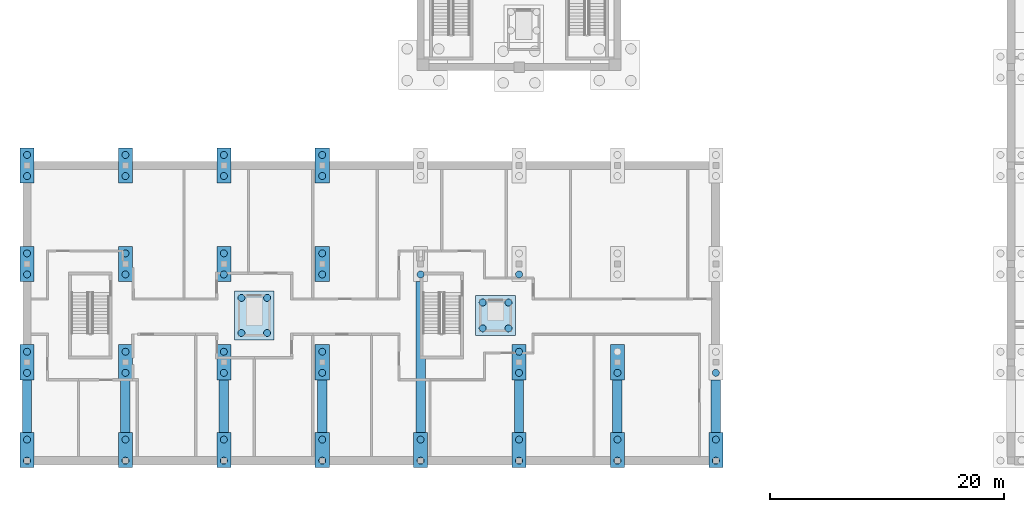
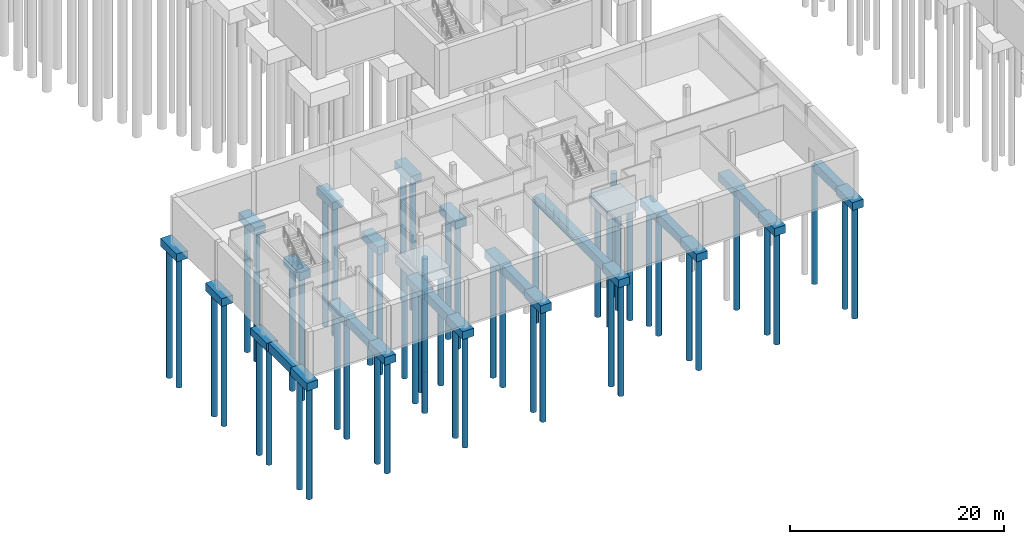
# One storey, part 1 of 33: 54 piles, 32 footings.
"""IFC4 building model written with IfcOpenShell, lengths in metres."""

from ifc_helpers import new_model, si_unit, direction, frame, origin, origin_2d, place, context, subcontext, project, spatial, polyline, circle, outline, extrude, material, material_profile, profile_set, type_object, element, save


model = new_model("IFC4")

# Units and contexts
model_context = context("Model", 3, precision=1e-05, world=origin(), true_north=direction((0.0, 1.0)))
body_context = subcontext(model_context, "Body", "Model", "MODEL_VIEW")
ifc_project = project(units=[si_unit("LENGTHUNIT", "METRE"), si_unit("AREAUNIT", "SQUARE_METRE"), si_unit("VOLUMEUNIT", "CUBIC_METRE"), si_unit("PLANEANGLEUNIT", "RADIAN"), si_unit("MASSUNIT", "GRAM", prefix="KILO")], contexts=[model_context])

# Site, building, storey
site_placement = place(None, origin())
site = spatial("IfcSite", under=ifc_project, at=site_placement, CompositionType="ELEMENT")
building_placement = place(site_placement, origin())
building = spatial("IfcBuilding", under=site, at=building_placement, Name="Larchfold Concert Hall", CompositionType="ELEMENT")
storey_placement = place(building_placement, frame((0.0, 0.0, -5.0)))
storey = spatial("IfcBuildingStorey", under=building, at=storey_placement, Name="B1", CompositionType="ELEMENT", Elevation=-5.0)

# Piles
ifc_material_1 = material(Name="Concrete C30/37", Category="concrete")
ifc_material_profile = material_profile(ifc_material_1, circle(Radius=0.300048828125, at=origin_2d()))
ifc_profile_set = profile_set([ifc_material_profile], Name="Concrete C30/37")
pile_type = type_object("IfcPileType", Name="Bored pile D600", PredefinedType="BORED", material=ifc_profile_set)
for number, where, z_axis, x_axis, name in (
    (1, (0.60009765625, 0.60009765625, -1.300048828125), (0.0, 0.0, -1.0), (1.0, 0.0, 0.0), "Pile P0001"),
    (2, (0.60009765625, 2.39990234375, -1.300048828125), (0.0, 0.0, -1.0), (1.0, 0.0, 0.0), "Pile P0002"),
):
    element("IfcPile", number, at=place(storey_placement, frame(where, z_axis=z_axis, x_axis=x_axis)), inside=storey, type_object=pile_type, Name=name, PredefinedType="BORED", context=body_context, shape_type="SweptSolid", body=[
        extrude(circle(Radius=0.300048828125, at=origin_2d()), origin(), (0.0, 0.0, 1.0), 12.82421875),
    ])
for number, where, z_axis, x_axis, name in (
    (3, (0.60009765625, 8.10009765625, -1.300048828125), (0.0, 0.0, -1.0), (1.0, 0.0, 0.0), "Pile P0003"),
    (4, (0.60009765625, 9.89990234375, -1.300048828125), (0.0, 0.0, -1.0), (1.0, 0.0, 0.0), "Pile P0004"),
):
    element("IfcPile", number, at=place(storey_placement, frame(where, z_axis=z_axis, x_axis=x_axis)), inside=storey, type_object=pile_type, Name=name, PredefinedType="BORED", context=body_context, shape_type="SweptSolid", body=[
        extrude(circle(Radius=0.300048828125, at=origin_2d()), origin(), (0.0, 0.0, 1.0), 13.444580078125),
    ])
for number, where, z_axis, x_axis, name in (
    (5, (0.60009765625, 16.5, -1.300048828125), (0.0, 0.0, -1.0), (1.0, 0.0, 0.0), "Pile P0005"),
    (6, (0.60009765625, 18.300048828125, -1.300048828125), (0.0, 0.0, -1.0), (1.0, 0.0, 0.0), "Pile P0006"),
):
    element("IfcPile", number, at=place(storey_placement, frame(where, z_axis=z_axis, x_axis=x_axis)), inside=storey, type_object=pile_type, Name=name, PredefinedType="BORED", context=body_context, shape_type="SweptSolid", body=[
        extrude(circle(Radius=0.300048828125, at=origin_2d()), origin(), (0.0, 0.0, 1.0), 14.1396484375),
    ])
for number, where, z_axis, x_axis, name in (
    (7, (0.60009765625, 24.89990234375, -1.300048828125), (0.0, 0.0, -1.0), (1.0, 0.0, 0.0), "Pile P0007"),
    (8, (0.60009765625, 26.699951171875, -1.300048828125), (0.0, 0.0, -1.0), (1.0, 0.0, 0.0), "Pile P0008"),
):
    element("IfcPile", number, at=place(storey_placement, frame(where, z_axis=z_axis, x_axis=x_axis)), inside=storey, type_object=pile_type, Name=name, PredefinedType="BORED", context=body_context, shape_type="SweptSolid", body=[
        extrude(circle(Radius=0.300048828125, at=origin_2d()), origin(), (0.0, 0.0, 1.0), 14.834716796875),
    ])
for number, where, z_axis, x_axis, name in (
    (9, (9.0, 0.60009765625, -1.300048828125), (0.0, 0.0, -1.0), (1.0, 0.0, 0.0), "Pile P0009"),
    (10, (9.0, 2.39990234375, -1.300048828125), (0.0, 0.0, -1.0), (1.0, 0.0, 0.0), "Pile P0010"),
):
    element("IfcPile", number, at=place(storey_placement, frame(where, z_axis=z_axis, x_axis=x_axis)), inside=storey, type_object=pile_type, Name=name, PredefinedType="BORED", context=body_context, shape_type="SweptSolid", body=[
        extrude(circle(Radius=0.300048828125, at=origin_2d()), origin(), (0.0, 0.0, 1.0), 12.82421875),
    ])
for number, where, z_axis, x_axis, name in (
    (11, (9.0, 8.10009765625, -1.300048828125), (0.0, 0.0, -1.0), (1.0, 0.0, 0.0), "Pile P0011"),
    (12, (9.0, 9.89990234375, -1.300048828125), (0.0, 0.0, -1.0), (1.0, 0.0, 0.0), "Pile P0012"),
):
    element("IfcPile", number, at=place(storey_placement, frame(where, z_axis=z_axis, x_axis=x_axis)), inside=storey, type_object=pile_type, Name=name, PredefinedType="BORED", context=body_context, shape_type="SweptSolid", body=[
        extrude(circle(Radius=0.300048828125, at=origin_2d()), origin(), (0.0, 0.0, 1.0), 13.444580078125),
    ])
for number, where, z_axis, x_axis, name in (
    (13, (9.0, 16.5, -1.300048828125), (0.0, 0.0, -1.0), (1.0, 0.0, 0.0), "Pile P0013"),
    (14, (9.0, 18.300048828125, -1.300048828125), (0.0, 0.0, -1.0), (1.0, 0.0, 0.0), "Pile P0014"),
):
    element("IfcPile", number, at=place(storey_placement, frame(where, z_axis=z_axis, x_axis=x_axis)), inside=storey, type_object=pile_type, Name=name, PredefinedType="BORED", context=body_context, shape_type="SweptSolid", body=[
        extrude(circle(Radius=0.300048828125, at=origin_2d()), origin(), (0.0, 0.0, 1.0), 14.1396484375),
    ])
for number, where, z_axis, x_axis, name in (
    (15, (9.0, 24.89990234375, -1.300048828125), (0.0, 0.0, -1.0), (1.0, 0.0, 0.0), "Pile P0015"),
    (16, (9.0, 26.699951171875, -1.300048828125), (0.0, 0.0, -1.0), (1.0, 0.0, 0.0), "Pile P0016"),
):
    element("IfcPile", number, at=place(storey_placement, frame(where, z_axis=z_axis, x_axis=x_axis)), inside=storey, type_object=pile_type, Name=name, PredefinedType="BORED", context=body_context, shape_type="SweptSolid", body=[
        extrude(circle(Radius=0.300048828125, at=origin_2d()), origin(), (0.0, 0.0, 1.0), 14.834716796875),
    ])
for number, where, z_axis, x_axis, name in (
    (17, (17.39990234375, 0.60009765625, -1.300048828125), (0.0, 0.0, -1.0), (1.0, 0.0, 0.0), "Pile P0017"),
    (18, (17.39990234375, 2.39990234375, -1.300048828125), (0.0, 0.0, -1.0), (1.0, 0.0, 0.0), "Pile P0018"),
):
    element("IfcPile", number, at=place(storey_placement, frame(where, z_axis=z_axis, x_axis=x_axis)), inside=storey, type_object=pile_type, Name=name, PredefinedType="BORED", context=body_context, shape_type="SweptSolid", body=[
        extrude(circle(Radius=0.300048828125, at=origin_2d()), origin(), (0.0, 0.0, 1.0), 12.82421875),
    ])
for number, where, z_axis, x_axis, name in (
    (19, (17.39990234375, 8.10009765625, -1.300048828125), (0.0, 0.0, -1.0), (1.0, 0.0, 0.0), "Pile P0019"),
    (20, (17.39990234375, 9.89990234375, -1.300048828125), (0.0, 0.0, -1.0), (1.0, 0.0, 0.0), "Pile P0020"),
):
    element("IfcPile", number, at=place(storey_placement, frame(where, z_axis=z_axis, x_axis=x_axis)), inside=storey, type_object=pile_type, Name=name, PredefinedType="BORED", context=body_context, shape_type="SweptSolid", body=[
        extrude(circle(Radius=0.300048828125, at=origin_2d()), origin(), (0.0, 0.0, 1.0), 13.444580078125),
    ])
for number, where, z_axis, x_axis, name in (
    (21, (17.39990234375, 16.5, -1.300048828125), (0.0, 0.0, -1.0), (1.0, 0.0, 0.0), "Pile P0021"),
    (22, (17.39990234375, 18.300048828125, -1.300048828125), (0.0, 0.0, -1.0), (1.0, 0.0, 0.0), "Pile P0022"),
):
    element("IfcPile", number, at=place(storey_placement, frame(where, z_axis=z_axis, x_axis=x_axis)), inside=storey, type_object=pile_type, Name=name, PredefinedType="BORED", context=body_context, shape_type="SweptSolid", body=[
        extrude(circle(Radius=0.300048828125, at=origin_2d()), origin(), (0.0, 0.0, 1.0), 14.1396484375),
    ])
for number, where, z_axis, x_axis, name in (
    (23, (17.39990234375, 24.89990234375, -1.300048828125), (0.0, 0.0, -1.0), (1.0, 0.0, 0.0), "Pile P0023"),
    (24, (17.39990234375, 26.699951171875, -1.300048828125), (0.0, 0.0, -1.0), (1.0, 0.0, 0.0), "Pile P0024"),
):
    element("IfcPile", number, at=place(storey_placement, frame(where, z_axis=z_axis, x_axis=x_axis)), inside=storey, type_object=pile_type, Name=name, PredefinedType="BORED", context=body_context, shape_type="SweptSolid", body=[
        extrude(circle(Radius=0.300048828125, at=origin_2d()), origin(), (0.0, 0.0, 1.0), 14.834716796875),
    ])
for number, where, z_axis, x_axis, name in (
    (25, (25.800048828125, 0.60009765625, -1.300048828125), (0.0, 0.0, -1.0), (1.0, 0.0, 0.0), "Pile P0061"),
    (26, (25.800048828125, 2.39990234375, -1.300048828125), (0.0, 0.0, -1.0), (1.0, 0.0, 0.0), "Pile P0062"),
):
    element("IfcPile", number, at=place(storey_placement, frame(where, z_axis=z_axis, x_axis=x_axis)), inside=storey, type_object=pile_type, Name=name, PredefinedType="BORED", context=body_context, shape_type="SweptSolid", body=[
        extrude(circle(Radius=0.300048828125, at=origin_2d()), origin(), (0.0, 0.0, 1.0), 12.82421875),
    ])
for number, where, z_axis, x_axis, name in (
    (27, (25.800048828125, 8.10009765625, -1.300048828125), (0.0, 0.0, -1.0), (1.0, 0.0, 0.0), "Pile P0063"),
    (28, (25.800048828125, 9.89990234375, -1.300048828125), (0.0, 0.0, -1.0), (1.0, 0.0, 0.0), "Pile P0064"),
):
    element("IfcPile", number, at=place(storey_placement, frame(where, z_axis=z_axis, x_axis=x_axis)), inside=storey, type_object=pile_type, Name=name, PredefinedType="BORED", context=body_context, shape_type="SweptSolid", body=[
        extrude(circle(Radius=0.300048828125, at=origin_2d()), origin(), (0.0, 0.0, 1.0), 13.444580078125),
    ])
for number, where, z_axis, x_axis, name in (
    (29, (25.800048828125, 16.5, -1.300048828125), (0.0, 0.0, -1.0), (1.0, 0.0, 0.0), "Pile P0065"),
    (30, (25.800048828125, 18.300048828125, -1.300048828125), (0.0, 0.0, -1.0), (1.0, 0.0, 0.0), "Pile P0066"),
):
    element("IfcPile", number, at=place(storey_placement, frame(where, z_axis=z_axis, x_axis=x_axis)), inside=storey, type_object=pile_type, Name=name, PredefinedType="BORED", context=body_context, shape_type="SweptSolid", body=[
        extrude(circle(Radius=0.300048828125, at=origin_2d()), origin(), (0.0, 0.0, 1.0), 14.1396484375),
    ])
for number, where, z_axis, x_axis, name in (
    (31, (25.800048828125, 24.89990234375, -1.300048828125), (0.0, 0.0, -1.0), (1.0, 0.0, 0.0), "Pile P0067"),
    (32, (25.800048828125, 26.699951171875, -1.300048828125), (0.0, 0.0, -1.0), (1.0, 0.0, 0.0), "Pile P0068"),
):
    element("IfcPile", number, at=place(storey_placement, frame(where, z_axis=z_axis, x_axis=x_axis)), inside=storey, type_object=pile_type, Name=name, PredefinedType="BORED", context=body_context, shape_type="SweptSolid", body=[
        extrude(circle(Radius=0.300048828125, at=origin_2d()), origin(), (0.0, 0.0, 1.0), 14.834716796875),
    ])
for number, where, z_axis, x_axis, name in (
    (33, (34.199951171875, 0.60009765625, -1.300048828125), (0.0, 0.0, -1.0), (1.0, 0.0, 0.0), "Pile P0093"),
    (34, (34.199951171875, 2.39990234375, -1.300048828125), (0.0, 0.0, -1.0), (1.0, 0.0, 0.0), "Pile P0094"),
):
    element("IfcPile", number, at=place(storey_placement, frame(where, z_axis=z_axis, x_axis=x_axis)), inside=storey, type_object=pile_type, Name=name, PredefinedType="BORED", context=body_context, shape_type="SweptSolid", body=[
        extrude(circle(Radius=0.300048828125, at=origin_2d()), origin(), (0.0, 0.0, 1.0), 12.82421875),
    ])
pile_1_placement = place(storey_placement, frame((34.199951171875, 16.5, -1.300048828125), z_axis=(0.0, 0.0, -1.0), x_axis=(1.0, 0.0, 0.0)))
element("IfcPile", 35, at=pile_1_placement, inside=storey, type_object=pile_type, Name="Pile P0095", PredefinedType="BORED", context=body_context, shape_type="SweptSolid", body=[
    extrude(circle(Radius=0.300048828125, at=origin_2d()), origin(), (0.0, 0.0, 1.0), 14.1396484375),
])
for number, where, z_axis, x_axis, name in (
    (36, (42.60009765625, 0.60009765625, -1.300048828125), (0.0, 0.0, -1.0), (1.0, 0.0, 0.0), "Pile P0131"),
    (37, (42.60009765625, 2.39990234375, -1.300048828125), (0.0, 0.0, -1.0), (1.0, 0.0, 0.0), "Pile P0132"),
):
    element("IfcPile", number, at=place(storey_placement, frame(where, z_axis=z_axis, x_axis=x_axis)), inside=storey, type_object=pile_type, Name=name, PredefinedType="BORED", context=body_context, shape_type="SweptSolid", body=[
        extrude(circle(Radius=0.300048828125, at=origin_2d()), origin(), (0.0, 0.0, 1.0), 12.82421875),
    ])
for number, where, z_axis, x_axis, name in (
    (38, (42.60009765625, 8.10009765625, -1.300048828125), (0.0, 0.0, -1.0), (1.0, 0.0, 0.0), "Pile P0133"),
    (39, (42.60009765625, 9.89990234375, -1.300048828125), (0.0, 0.0, -1.0), (1.0, 0.0, 0.0), "Pile P0134"),
):
    element("IfcPile", number, at=place(storey_placement, frame(where, z_axis=z_axis, x_axis=x_axis)), inside=storey, type_object=pile_type, Name=name, PredefinedType="BORED", context=body_context, shape_type="SweptSolid", body=[
        extrude(circle(Radius=0.300048828125, at=origin_2d()), origin(), (0.0, 0.0, 1.0), 13.444580078125),
    ])
pile_2_placement = place(storey_placement, frame((42.60009765625, 16.5, -1.300048828125), z_axis=(0.0, 0.0, -1.0), x_axis=(1.0, 0.0, 0.0)))
element("IfcPile", 40, at=pile_2_placement, inside=storey, type_object=pile_type, Name="Pile P0135", PredefinedType="BORED", context=body_context, shape_type="SweptSolid", body=[
    extrude(circle(Radius=0.300048828125, at=origin_2d()), origin(), (0.0, 0.0, 1.0), 14.1396484375),
])
for number, where, z_axis, x_axis, name in (
    (41, (51.0, 0.60009765625, -1.300048828125), (0.0, 0.0, -1.0), (1.0, 0.0, 0.0), "Pile P0199"),
    (42, (51.0, 2.39990234375, -1.300048828125), (0.0, 0.0, -1.0), (1.0, 0.0, 0.0), "Pile P0200"),
):
    element("IfcPile", number, at=place(storey_placement, frame(where, z_axis=z_axis, x_axis=x_axis)), inside=storey, type_object=pile_type, Name=name, PredefinedType="BORED", context=body_context, shape_type="SweptSolid", body=[
        extrude(circle(Radius=0.300048828125, at=origin_2d()), origin(), (0.0, 0.0, 1.0), 12.82421875),
    ])
pile_3_placement = place(storey_placement, frame((51.0, 8.10009765625, -1.300048828125), z_axis=(0.0, 0.0, -1.0), x_axis=(1.0, 0.0, 0.0)))
element("IfcPile", 43, at=pile_3_placement, inside=storey, type_object=pile_type, Name="Pile P0201", PredefinedType="BORED", context=body_context, shape_type="SweptSolid", body=[
    extrude(circle(Radius=0.300048828125, at=origin_2d()), origin(), (0.0, 0.0, 1.0), 13.444580078125),
])
for number, where, z_axis, x_axis, name in (
    (44, (59.39990234375, 0.60009765625, -1.300048828125), (0.0, 0.0, -1.0), (1.0, 0.0, 0.0), "Pile P0227"),
    (45, (59.39990234375, 2.39990234375, -1.300048828125), (0.0, 0.0, -1.0), (1.0, 0.0, 0.0), "Pile P0228"),
):
    element("IfcPile", number, at=place(storey_placement, frame(where, z_axis=z_axis, x_axis=x_axis)), inside=storey, type_object=pile_type, Name=name, PredefinedType="BORED", context=body_context, shape_type="SweptSolid", body=[
        extrude(circle(Radius=0.300048828125, at=origin_2d()), origin(), (0.0, 0.0, 1.0), 12.82421875),
    ])
pile_4_placement = place(storey_placement, frame((59.39990234375, 8.10009765625, -1.300048828125), z_axis=(0.0, 0.0, -1.0), x_axis=(1.0, 0.0, 0.0)))
element("IfcPile", 46, at=pile_4_placement, inside=storey, type_object=pile_type, Name="Pile P0229", PredefinedType="BORED", context=body_context, shape_type="SweptSolid", body=[
    extrude(circle(Radius=0.300048828125, at=origin_2d()), origin(), (0.0, 0.0, 1.0), 13.444580078125),
])
pile_5_placement = place(storey_placement, frame((18.900146484375, 11.5, -2.300048828125), z_axis=(0.0, 0.0, -1.0), x_axis=(1.0, 0.0, 0.0)))
element("IfcPile", 47, at=pile_5_placement, inside=storey, type_object=pile_type, Name="Pile P0391", PredefinedType="BORED", context=body_context, shape_type="SweptSolid", body=[
    extrude(circle(Radius=0.300048828125, at=origin_2d()), origin(), (0.0, 0.0, 1.0), 12.651611328125),
])
pile_6_placement = place(storey_placement, frame((18.900146484375, 14.5, -2.300048828125), z_axis=(0.0, 0.0, -1.0), x_axis=(1.0, 0.0, 0.0)))
element("IfcPile", 48, at=pile_6_placement, inside=storey, type_object=pile_type, Name="Pile P0392", PredefinedType="BORED", context=body_context, shape_type="SweptSolid", body=[
    extrude(circle(Radius=0.300048828125, at=origin_2d()), origin(), (0.0, 0.0, 1.0), 12.899658203125),
])
pile_7_placement = place(storey_placement, frame((21.10009765625, 11.5, -2.300048828125), z_axis=(0.0, 0.0, -1.0), x_axis=(1.0, 0.0, 0.0)))
element("IfcPile", 49, at=pile_7_placement, inside=storey, type_object=pile_type, Name="Pile P0393", PredefinedType="BORED", context=body_context, shape_type="SweptSolid", body=[
    extrude(circle(Radius=0.300048828125, at=origin_2d()), origin(), (0.0, 0.0, 1.0), 12.651611328125),
])
pile_8_placement = place(storey_placement, frame((21.10009765625, 14.5, -2.300048828125), z_axis=(0.0, 0.0, -1.0), x_axis=(1.0, 0.0, 0.0)))
element("IfcPile", 50, at=pile_8_placement, inside=storey, type_object=pile_type, Name="Pile P0394", PredefinedType="BORED", context=body_context, shape_type="SweptSolid", body=[
    extrude(circle(Radius=0.300048828125, at=origin_2d()), origin(), (0.0, 0.0, 1.0), 12.899658203125),
])
pile_9_placement = place(storey_placement, frame((39.5, 11.900146484375, -2.300048828125), z_axis=(0.0, 0.0, -1.0), x_axis=(1.0, 0.0, 0.0)))
element("IfcPile", 51, at=pile_9_placement, inside=storey, type_object=pile_type, Name="Pile P0395", PredefinedType="BORED", context=body_context, shape_type="SweptSolid", body=[
    extrude(circle(Radius=0.300048828125, at=origin_2d()), origin(), (0.0, 0.0, 1.0), 12.6845703125),
])
pile_10_placement = place(storey_placement, frame((39.5, 14.10009765625, -2.300048828125), z_axis=(0.0, 0.0, -1.0), x_axis=(1.0, 0.0, 0.0)))
element("IfcPile", 52, at=pile_10_placement, inside=storey, type_object=pile_type, Name="Pile P0396", PredefinedType="BORED", context=body_context, shape_type="SweptSolid", body=[
    extrude(circle(Radius=0.300048828125, at=origin_2d()), origin(), (0.0, 0.0, 1.0), 12.86669921875),
])
pile_11_placement = place(storey_placement, frame((41.699951171875, 11.900146484375, -2.300048828125), z_axis=(0.0, 0.0, -1.0), x_axis=(1.0, 0.0, 0.0)))
element("IfcPile", 53, at=pile_11_placement, inside=storey, type_object=pile_type, Name="Pile P0397", PredefinedType="BORED", context=body_context, shape_type="SweptSolid", body=[
    extrude(circle(Radius=0.300048828125, at=origin_2d()), origin(), (0.0, 0.0, 1.0), 12.6845703125),
])
pile_12_placement = place(storey_placement, frame((41.699951171875, 14.10009765625, -2.300048828125), z_axis=(0.0, 0.0, -1.0), x_axis=(1.0, 0.0, 0.0)))
element("IfcPile", 54, at=pile_12_placement, inside=storey, type_object=pile_type, Name="Pile P0398", PredefinedType="BORED", context=body_context, shape_type="SweptSolid", body=[
    extrude(circle(Radius=0.300048828125, at=origin_2d()), origin(), (0.0, 0.0, 1.0), 12.86669921875),
])

# Footings
ifc_material_2 = material(Name="Concrete C30/37", Category="concrete")
footing_type_1 = type_object("IfcFootingType", Name="Pad footing 3400x3400x1000", PredefinedType="PAD_FOOTING", material=ifc_material_2)
footing_1_placement = place(storey_placement, frame((0.0, 0.0, -2.39990234375)))
element("IfcFooting", 55, at=footing_1_placement, inside=storey, type_object=footing_type_1, Name="Pit footing PC0121", PredefinedType="PAD_FOOTING", context=body_context, shape_type="SweptSolid", body=[
    extrude(outline(polyline([(42.300048828125, 11.300048828125), (42.300048828125, 14.7001953125), (38.89990234375, 14.7001953125), (38.89990234375, 11.300048828125), (42.300048828125, 11.300048828125)])), origin(), (0.0, 0.0, 1.0), 1.0),
])
ifc_material_3 = material(Name="Concrete C30/37", Category="concrete")
footing_type_2 = type_object("IfcFootingType", Name="Pad footing 3400x4200x1000", PredefinedType="PAD_FOOTING", material=ifc_material_3)
footing_2_placement = place(storey_placement, frame((0.0, 0.0, -2.39990234375)))
element("IfcFooting", 56, at=footing_2_placement, inside=storey, type_object=footing_type_2, Name="Pit footing PC0120", PredefinedType="PAD_FOOTING", context=body_context, shape_type="SweptSolid", body=[
    extrude(outline(polyline([(21.7001953125, 10.89990234375), (21.7001953125, 15.099853515625), (18.300048828125, 15.099853515625), (18.300048828125, 10.89990234375), (21.7001953125, 10.89990234375)])), origin(), (0.0, 0.0, 1.0), 1.0),
])
ifc_material_4 = material(Name="Concrete C30/37", Category="concrete")
footing_type_3 = type_object("IfcFootingType", Name="Pile cap 1200x3000x900", PredefinedType="PILE_CAP", material=ifc_material_4)
footing_3_placement = place(storey_placement, frame((0.0, 0.0, -1.39990234375)))
element("IfcFooting", 57, at=footing_3_placement, inside=storey, type_object=footing_type_3, Name="Pile cap PC0001", PredefinedType="PILE_CAP", context=body_context, shape_type="SweptSolid", body=[
    extrude(outline(polyline([(1.199951171875, 0.0), (1.199951171875, 3.0), (0.0, 3.0), (0.0, 0.0), (1.199951171875, 0.0)])), origin(), (0.0, 0.0, 1.0), 0.89990234375),
])
footing_4_placement = place(storey_placement, frame((0.0, 0.0, -1.39990234375)))
element("IfcFooting", 58, at=footing_4_placement, inside=storey, type_object=footing_type_3, Name="Pile cap PC0002", PredefinedType="PILE_CAP", context=body_context, shape_type="SweptSolid", body=[
    extrude(outline(polyline([(1.199951171875, 7.5), (1.199951171875, 10.5), (0.0, 10.5), (0.0, 7.5), (1.199951171875, 7.5)])), origin(), (0.0, 0.0, 1.0), 0.89990234375),
])
footing_5_placement = place(storey_placement, frame((0.0, 0.0, -1.39990234375)))
element("IfcFooting", 59, at=footing_5_placement, inside=storey, type_object=footing_type_3, Name="Pile cap PC0003", PredefinedType="PILE_CAP", context=body_context, shape_type="SweptSolid", body=[
    extrude(outline(polyline([(1.199951171875, 15.89990234375), (1.199951171875, 18.89990234375), (0.0, 18.89990234375), (0.0, 15.89990234375), (1.199951171875, 15.89990234375)])), origin(), (0.0, 0.0, 1.0), 0.89990234375),
])
footing_6_placement = place(storey_placement, frame((0.0, 0.0, -1.39990234375)))
element("IfcFooting", 60, at=footing_6_placement, inside=storey, type_object=footing_type_3, Name="Pile cap PC0004", PredefinedType="PILE_CAP", context=body_context, shape_type="SweptSolid", body=[
    extrude(outline(polyline([(1.199951171875, 24.300048828125), (1.199951171875, 27.300048828125), (0.0, 27.300048828125), (0.0, 24.300048828125), (1.199951171875, 24.300048828125)])), origin(), (0.0, 0.0, 1.0), 0.89990234375),
])
footing_7_placement = place(storey_placement, frame((0.0, 0.0, -1.39990234375)))
element("IfcFooting", 61, at=footing_7_placement, inside=storey, type_object=footing_type_3, Name="Pile cap PC0005", PredefinedType="PILE_CAP", context=body_context, shape_type="SweptSolid", body=[
    extrude(outline(polyline([(9.60009765625, 0.0), (9.60009765625, 3.0), (8.39990234375, 3.0), (8.39990234375, 0.0), (9.60009765625, 0.0)])), origin(), (0.0, 0.0, 1.0), 0.89990234375),
])
footing_8_placement = place(storey_placement, frame((0.0, 0.0, -1.39990234375)))
element("IfcFooting", 62, at=footing_8_placement, inside=storey, type_object=footing_type_3, Name="Pile cap PC0006", PredefinedType="PILE_CAP", context=body_context, shape_type="SweptSolid", body=[
    extrude(outline(polyline([(9.60009765625, 7.5), (9.60009765625, 10.5), (8.39990234375, 10.5), (8.39990234375, 7.5), (9.60009765625, 7.5)])), origin(), (0.0, 0.0, 1.0), 0.89990234375),
])
footing_9_placement = place(storey_placement, frame((0.0, 0.0, -1.39990234375)))
element("IfcFooting", 63, at=footing_9_placement, inside=storey, type_object=footing_type_3, Name="Pile cap PC0007", PredefinedType="PILE_CAP", context=body_context, shape_type="SweptSolid", body=[
    extrude(outline(polyline([(9.60009765625, 15.89990234375), (9.60009765625, 18.89990234375), (8.39990234375, 18.89990234375), (8.39990234375, 15.89990234375), (9.60009765625, 15.89990234375)])), origin(), (0.0, 0.0, 1.0), 0.89990234375),
])
footing_10_placement = place(storey_placement, frame((0.0, 0.0, -1.39990234375)))
element("IfcFooting", 64, at=footing_10_placement, inside=storey, type_object=footing_type_3, Name="Pile cap PC0008", PredefinedType="PILE_CAP", context=body_context, shape_type="SweptSolid", body=[
    extrude(outline(polyline([(9.60009765625, 24.300048828125), (9.60009765625, 27.300048828125), (8.39990234375, 27.300048828125), (8.39990234375, 24.300048828125), (9.60009765625, 24.300048828125)])), origin(), (0.0, 0.0, 1.0), 0.89990234375),
])
footing_11_placement = place(storey_placement, frame((0.0, 0.0, -1.39990234375)))
element("IfcFooting", 65, at=footing_11_placement, inside=storey, type_object=footing_type_3, Name="Pile cap PC0009", PredefinedType="PILE_CAP", context=body_context, shape_type="SweptSolid", body=[
    extrude(outline(polyline([(18.0, 0.0), (18.0, 3.0), (16.800048828125, 3.0), (16.800048828125, 0.0), (18.0, 0.0)])), origin(), (0.0, 0.0, 1.0), 0.89990234375),
])
footing_12_placement = place(storey_placement, frame((0.0, 0.0, -1.39990234375)))
element("IfcFooting", 66, at=footing_12_placement, inside=storey, type_object=footing_type_3, Name="Pile cap PC0010", PredefinedType="PILE_CAP", context=body_context, shape_type="SweptSolid", body=[
    extrude(outline(polyline([(18.0, 7.5), (18.0, 10.5), (16.800048828125, 10.5), (16.800048828125, 7.5), (18.0, 7.5)])), origin(), (0.0, 0.0, 1.0), 0.89990234375),
])
footing_13_placement = place(storey_placement, frame((0.0, 0.0, -1.39990234375)))
element("IfcFooting", 67, at=footing_13_placement, inside=storey, type_object=footing_type_3, Name="Pile cap PC0011", PredefinedType="PILE_CAP", context=body_context, shape_type="SweptSolid", body=[
    extrude(outline(polyline([(18.0, 15.89990234375), (18.0, 18.89990234375), (16.800048828125, 18.89990234375), (16.800048828125, 15.89990234375), (18.0, 15.89990234375)])), origin(), (0.0, 0.0, 1.0), 0.89990234375),
])
footing_14_placement = place(storey_placement, frame((0.0, 0.0, -1.39990234375)))
element("IfcFooting", 68, at=footing_14_placement, inside=storey, type_object=footing_type_3, Name="Pile cap PC0012", PredefinedType="PILE_CAP", context=body_context, shape_type="SweptSolid", body=[
    extrude(outline(polyline([(18.0, 24.300048828125), (18.0, 27.300048828125), (16.800048828125, 27.300048828125), (16.800048828125, 24.300048828125), (18.0, 24.300048828125)])), origin(), (0.0, 0.0, 1.0), 0.89990234375),
])
footing_15_placement = place(storey_placement, frame((0.0, 0.0, -1.39990234375)))
element("IfcFooting", 69, at=footing_15_placement, inside=storey, type_object=footing_type_3, Name="Pile cap PC0022", PredefinedType="PILE_CAP", context=body_context, shape_type="SweptSolid", body=[
    extrude(outline(polyline([(26.39990234375, 0.0), (26.39990234375, 3.0), (25.199951171875, 3.0), (25.199951171875, 0.0), (26.39990234375, 0.0)])), origin(), (0.0, 0.0, 1.0), 0.89990234375),
])
footing_16_placement = place(storey_placement, frame((0.0, 0.0, -1.39990234375)))
element("IfcFooting", 70, at=footing_16_placement, inside=storey, type_object=footing_type_3, Name="Pile cap PC0023", PredefinedType="PILE_CAP", context=body_context, shape_type="SweptSolid", body=[
    extrude(outline(polyline([(26.39990234375, 7.5), (26.39990234375, 10.5), (25.199951171875, 10.5), (25.199951171875, 7.5), (26.39990234375, 7.5)])), origin(), (0.0, 0.0, 1.0), 0.89990234375),
])
footing_17_placement = place(storey_placement, frame((0.0, 0.0, -1.39990234375)))
element("IfcFooting", 71, at=footing_17_placement, inside=storey, type_object=footing_type_3, Name="Pile cap PC0024", PredefinedType="PILE_CAP", context=body_context, shape_type="SweptSolid", body=[
    extrude(outline(polyline([(26.39990234375, 15.89990234375), (26.39990234375, 18.89990234375), (25.199951171875, 18.89990234375), (25.199951171875, 15.89990234375), (26.39990234375, 15.89990234375)])), origin(), (0.0, 0.0, 1.0), 0.89990234375),
])
footing_18_placement = place(storey_placement, frame((0.0, 0.0, -1.39990234375)))
element("IfcFooting", 72, at=footing_18_placement, inside=storey, type_object=footing_type_3, Name="Pile cap PC0025", PredefinedType="PILE_CAP", context=body_context, shape_type="SweptSolid", body=[
    extrude(outline(polyline([(26.39990234375, 24.300048828125), (26.39990234375, 27.300048828125), (25.199951171875, 27.300048828125), (25.199951171875, 24.300048828125), (26.39990234375, 24.300048828125)])), origin(), (0.0, 0.0, 1.0), 0.89990234375),
])
footing_19_placement = place(storey_placement, frame((0.0, 0.0, -1.39990234375)))
element("IfcFooting", 73, at=footing_19_placement, inside=storey, type_object=footing_type_3, Name="Pile cap PC0032", PredefinedType="PILE_CAP", context=body_context, shape_type="SweptSolid", body=[
    extrude(outline(polyline([(34.800048828125, 0.0), (34.800048828125, 3.0), (33.60009765625, 3.0), (33.60009765625, 0.0), (34.800048828125, 0.0)])), origin(), (0.0, 0.0, 1.0), 0.89990234375),
])
footing_20_placement = place(storey_placement, frame((0.0, 0.0, -1.39990234375)))
element("IfcFooting", 74, at=footing_20_placement, inside=storey, type_object=footing_type_3, Name="Pile cap PC0045", PredefinedType="PILE_CAP", context=body_context, shape_type="SweptSolid", body=[
    extrude(outline(polyline([(43.199951171875, 0.0), (43.199951171875, 3.0), (42.0, 3.0), (42.0, 0.0), (43.199951171875, 0.0)])), origin(), (0.0, 0.0, 1.0), 0.89990234375),
])
footing_21_placement = place(storey_placement, frame((0.0, 0.0, -1.39990234375)))
element("IfcFooting", 75, at=footing_21_placement, inside=storey, type_object=footing_type_3, Name="Pile cap PC0046", PredefinedType="PILE_CAP", context=body_context, shape_type="SweptSolid", body=[
    extrude(outline(polyline([(43.199951171875, 7.5), (43.199951171875, 10.5), (42.0, 10.5), (42.0, 7.5), (43.199951171875, 7.5)])), origin(), (0.0, 0.0, 1.0), 0.89990234375),
])
footing_22_placement = place(storey_placement, frame((0.0, 0.0, -1.39990234375)))
element("IfcFooting", 76, at=footing_22_placement, inside=storey, type_object=footing_type_3, Name="Pile cap PC0068", PredefinedType="PILE_CAP", context=body_context, shape_type="SweptSolid", body=[
    extrude(outline(polyline([(51.60009765625, 0.0), (51.60009765625, 3.0), (50.39990234375, 3.0), (50.39990234375, 0.0), (51.60009765625, 0.0)])), origin(), (0.0, 0.0, 1.0), 0.89990234375),
])
footing_23_placement = place(storey_placement, frame((0.0, 0.0, -1.39990234375)))
element("IfcFooting", 77, at=footing_23_placement, inside=storey, type_object=footing_type_3, Name="Pile cap PC0069", PredefinedType="PILE_CAP", context=body_context, shape_type="SweptSolid", body=[
    extrude(outline(polyline([(51.60009765625, 7.5), (51.60009765625, 10.5), (50.39990234375, 10.5), (50.39990234375, 7.5), (51.60009765625, 7.5)])), origin(), (0.0, 0.0, 1.0), 0.89990234375),
])
footing_24_placement = place(storey_placement, frame((0.0, 0.0, -1.39990234375)))
element("IfcFooting", 78, at=footing_24_placement, inside=storey, type_object=footing_type_3, Name="Pile cap PC0077", PredefinedType="PILE_CAP", context=body_context, shape_type="SweptSolid", body=[
    extrude(outline(polyline([(60.0, 0.0), (60.0, 3.0), (58.800048828125, 3.0), (58.800048828125, 0.0), (60.0, 0.0)])), origin(), (0.0, 0.0, 1.0), 0.89990234375),
])
ifc_material_5 = material(Name="Concrete C30/37", Category="concrete")
footing_type_4 = type_object("IfcFootingType", Name="Strip footing 800x1000", PredefinedType="STRIP_FOOTING", material=ifc_material_5)
footing_25_placement = place(storey_placement, frame((0.0, 0.0, -1.5)))
element("IfcFooting", 79, at=footing_25_placement, inside=storey, type_object=footing_type_4, Name="Ground beam GB0001", PredefinedType="STRIP_FOOTING", context=body_context, shape_type="SweptSolid", body=[
    extrude(outline(polyline([(0.199951171875, 3.0), (1.0, 3.0), (1.0, 7.5), (0.199951171875, 7.5), (0.199951171875, 3.0)])), origin(), (0.0, 0.0, 1.0), 1.0),
])
footing_26_placement = place(storey_placement, frame((0.0, 0.0, -1.5)))
element("IfcFooting", 80, at=footing_26_placement, inside=storey, type_object=footing_type_4, Name="Ground beam GB0002", PredefinedType="STRIP_FOOTING", context=body_context, shape_type="SweptSolid", body=[
    extrude(outline(polyline([(8.60009765625, 3.0), (9.39990234375, 3.0), (9.39990234375, 7.5), (8.60009765625, 7.5), (8.60009765625, 3.0)])), origin(), (0.0, 0.0, 1.0), 1.0),
])
footing_27_placement = place(storey_placement, frame((0.0, 0.0, -1.5)))
element("IfcFooting", 81, at=footing_27_placement, inside=storey, type_object=footing_type_4, Name="Ground beam GB0003", PredefinedType="STRIP_FOOTING", context=body_context, shape_type="SweptSolid", body=[
    extrude(outline(polyline([(17.0, 3.0), (17.800048828125, 3.0), (17.800048828125, 7.5), (17.0, 7.5), (17.0, 3.0)])), origin(), (0.0, 0.0, 1.0), 1.0),
])
footing_28_placement = place(storey_placement, frame((0.0, 0.0, -1.5)))
element("IfcFooting", 82, at=footing_28_placement, inside=storey, type_object=footing_type_4, Name="Ground beam GB0004", PredefinedType="STRIP_FOOTING", context=body_context, shape_type="SweptSolid", body=[
    extrude(outline(polyline([(25.39990234375, 3.0), (26.199951171875, 3.0), (26.199951171875, 7.5), (25.39990234375, 7.5), (25.39990234375, 3.0)])), origin(), (0.0, 0.0, 1.0), 1.0),
])
footing_29_placement = place(storey_placement, frame((0.0, 0.0, -1.5)))
element("IfcFooting", 83, at=footing_29_placement, inside=storey, type_object=footing_type_4, Name="Ground beam GB0008", PredefinedType="STRIP_FOOTING", context=body_context, shape_type="SweptSolid", body=[
    extrude(outline(polyline([(33.800048828125, 3.0), (34.60009765625, 3.0), (34.60009765625, 15.89990234375), (33.800048828125, 15.89990234375), (33.800048828125, 3.0)])), origin(), (0.0, 0.0, 1.0), 1.0),
])
footing_30_placement = place(storey_placement, frame((0.0, 0.0, -1.5)))
element("IfcFooting", 84, at=footing_30_placement, inside=storey, type_object=footing_type_4, Name="Ground beam GB0010", PredefinedType="STRIP_FOOTING", context=body_context, shape_type="SweptSolid", body=[
    extrude(outline(polyline([(42.199951171875, 3.0), (43.0, 3.0), (43.0, 7.5), (42.199951171875, 7.5), (42.199951171875, 3.0)])), origin(), (0.0, 0.0, 1.0), 1.0),
])
footing_31_placement = place(storey_placement, frame((0.0, 0.0, -1.5)))
element("IfcFooting", 85, at=footing_31_placement, inside=storey, type_object=footing_type_4, Name="Ground beam GB0013", PredefinedType="STRIP_FOOTING", context=body_context, shape_type="SweptSolid", body=[
    extrude(outline(polyline([(50.60009765625, 3.0), (51.39990234375, 3.0), (51.39990234375, 7.5), (50.60009765625, 7.5), (50.60009765625, 3.0)])), origin(), (0.0, 0.0, 1.0), 1.0),
])
footing_32_placement = place(storey_placement, frame((0.0, 0.0, -1.5)))
element("IfcFooting", 86, at=footing_32_placement, inside=storey, type_object=footing_type_4, Name="Ground beam GB0015", PredefinedType="STRIP_FOOTING", context=body_context, shape_type="SweptSolid", body=[
    extrude(outline(polyline([(59.0, 3.0), (59.800048828125, 3.0), (59.800048828125, 7.5), (59.0, 7.5), (59.0, 3.0)])), origin(), (0.0, 0.0, 1.0), 1.0),
])

save(model, "model.ifc")
